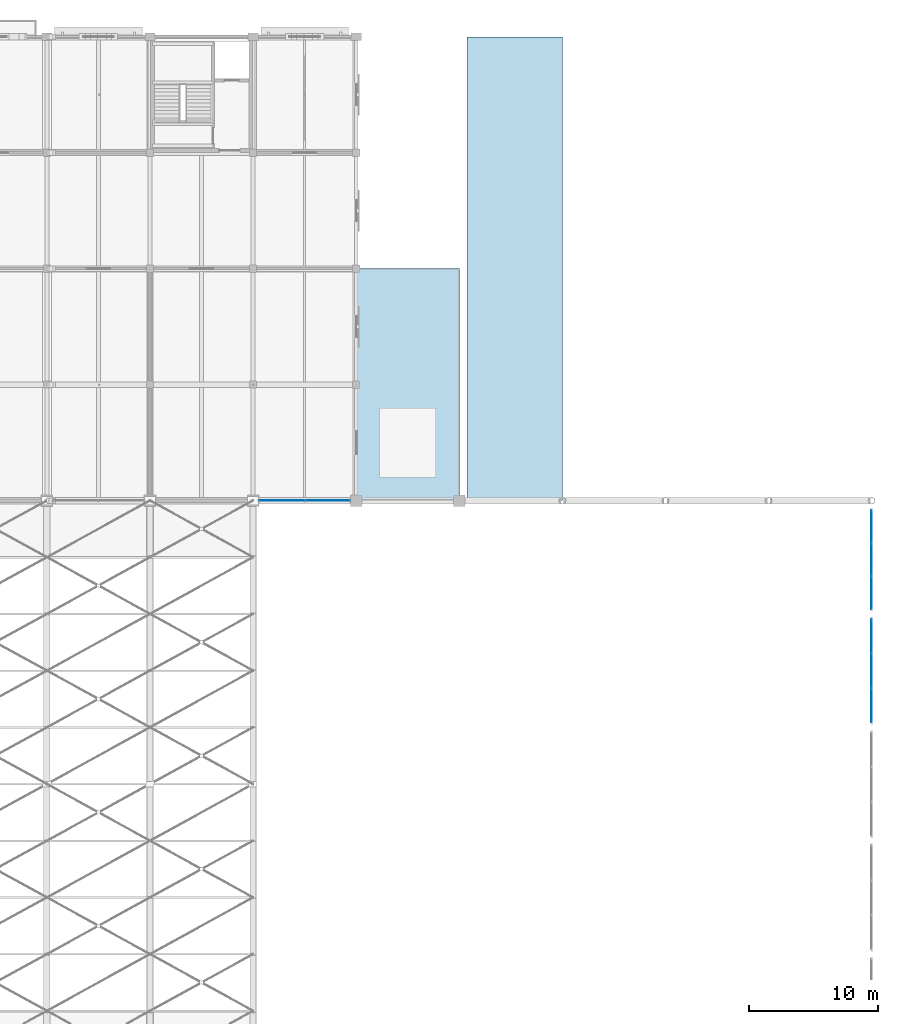
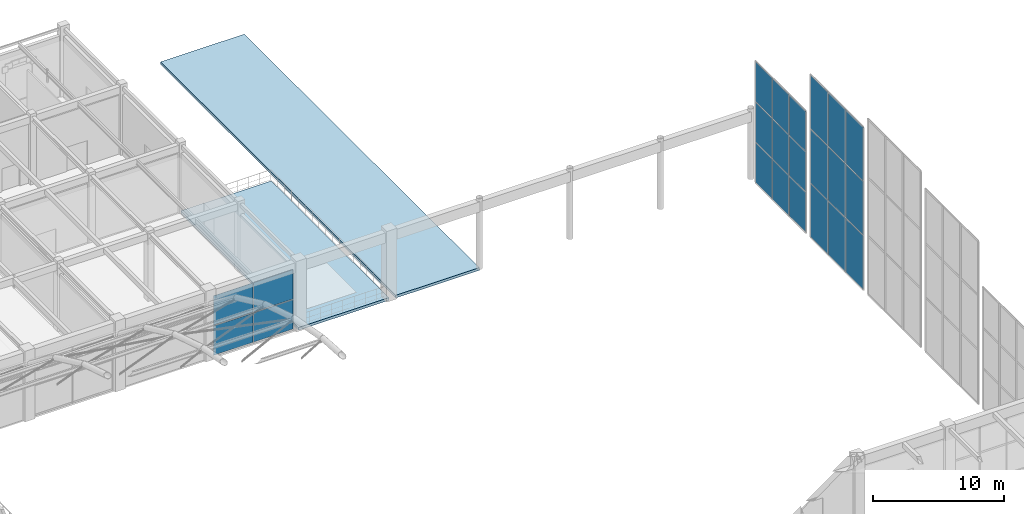
# One storey, part 119 of 163: 22 plates, 2 slabs, 3 elements without a shape of their own.
"""IFC4 building model written with IfcOpenShell, lengths in metres."""

from ifc_helpers import new_model, si_unit, direction, frame, origin, origin_2d, place, context, subcontext, project, spatial, polyline, rectangle, outline, extrude, material, layer, layer_set, type_object, element, aggregate, save


model = new_model("IFC4")

# Units and contexts
model_context = context("Model", 3, precision=1e-05, world=origin(), true_north=direction((0.0, 1.0)))
body_context = subcontext(model_context, "Body", "Model", "MODEL_VIEW")
ifc_project = project(units=[si_unit("LENGTHUNIT", "METRE"), si_unit("AREAUNIT", "SQUARE_METRE"), si_unit("VOLUMEUNIT", "CUBIC_METRE"), si_unit("PLANEANGLEUNIT", "RADIAN"), si_unit("MASSUNIT", "GRAM", prefix="KILO")], contexts=[model_context])

# Site, building, storey
site_placement = place(None, origin())
site = spatial("IfcSite", under=ifc_project, at=site_placement, CompositionType="ELEMENT")
building_placement = place(site_placement, origin())
building = spatial("IfcBuilding", under=site, at=building_placement, Name="Varnabhumi Central Station", CompositionType="ELEMENT")
storey_placement = place(building_placement, frame((0.0, 0.0, 9.60009765625)))
storey = spatial("IfcBuildingStorey", under=building, at=storey_placement, Name="L02", CompositionType="ELEMENT", Elevation=9.60009765625)

# Curtain wall, plates
ifc_material_1 = material(Name="Anodised aluminium 6063-T6", Category="aluminium")
curtain_wall_type_1 = type_object("IfcCurtainWallType", Name="CW-SPINE-SCREEN-L2", PredefinedType="NOTDEFINED", material=ifc_material_1)
curtain_wall_1_placement = place(storey_placement, origin())
curtain_wall_1 = element("IfcCurtainWall", 1, at=curtain_wall_1_placement, inside=storey, type_object=curtain_wall_type_1, Name="Curtain Wall CW-NS214", PredefinedType="NOTDEFINED")
ifc_material_2 = material(Name="Laminated low-E double glazing", Category="glass")
ifc_layer_1 = layer(ifc_material_2, 0.035888671875, Name="Laminated low-E double glazing", Category="glass")
ifc_layer_set_1 = layer_set([ifc_layer_1], Name="Laminated low-E double glazing")
plate_type_1 = type_object("IfcPlateType", Name="CW-PNL-GLZ-5", PredefinedType="CURTAIN_PANEL", material=ifc_layer_set_1)
plate_1_placement = place(storey_placement, frame((138.22509765625, 80.0, 0.0400390625), z_axis=(0.0, 0.0, 1.0), x_axis=(1.0, 0.0, 0.0)))
plate_1 = element("IfcPlate", 2, at=plate_1_placement, type_object=plate_type_1, Name="Glazed Panel CW-NS214-P11", PredefinedType="CURTAIN_PANEL", context=body_context, shape_type="SweptSolid", body=[
    extrude(rectangle(XDim=3.469970703125, YDim=0.035888671875, at=origin_2d()), origin(), (0.0, 0.0, 1.0), 2.739990234375),
])
plate_2_placement = place(storey_placement, frame((138.22509765625, 80.0, 2.85986328125), z_axis=(0.0, 0.0, 1.0), x_axis=(1.0, 0.0, 0.0)))
plate_2 = element("IfcPlate", 3, at=plate_2_placement, type_object=plate_type_1, Name="Glazed Panel CW-NS214-P12", PredefinedType="CURTAIN_PANEL", context=body_context, shape_type="SweptSolid", body=[
    extrude(rectangle(XDim=3.469970703125, YDim=0.035888671875, at=origin_2d()), origin(), (0.0, 0.0, 1.0), 2.739990234375),
])
plate_3_placement = place(storey_placement, frame((141.77490234375, 80.0, 0.0400390625), z_axis=(0.0, 0.0, 1.0), x_axis=(1.0, 0.0, 0.0)))
plate_3 = element("IfcPlate", 4, at=plate_3_placement, type_object=plate_type_1, Name="Glazed Panel CW-NS214-P21", PredefinedType="CURTAIN_PANEL", context=body_context, shape_type="SweptSolid", body=[
    extrude(rectangle(XDim=3.469970703125, YDim=0.035888671875, at=origin_2d()), origin(), (0.0, 0.0, 1.0), 2.739990234375),
])
plate_4_placement = place(storey_placement, frame((141.77490234375, 80.0, 2.85986328125), z_axis=(0.0, 0.0, 1.0), x_axis=(1.0, 0.0, 0.0)))
plate_4 = element("IfcPlate", 5, at=plate_4_placement, type_object=plate_type_1, Name="Glazed Panel CW-NS214-P22", PredefinedType="CURTAIN_PANEL", context=body_context, shape_type="SweptSolid", body=[
    extrude(rectangle(XDim=3.469970703125, YDim=0.035888671875, at=origin_2d()), origin(), (0.0, 0.0, 1.0), 2.739990234375),
])
aggregate(curtain_wall_1, [plate_1, plate_2, plate_3, plate_4])

curtain_wall_type_2 = type_object("IfcCurtainWallType", Name="CW-VAULT-ARCH-V5", PredefinedType="NOTDEFINED", material=ifc_material_1)
curtain_wall_2_placement = place(storey_placement, origin())
curtain_wall_2 = element("IfcCurtainWall", 6, at=curtain_wall_2_placement, inside=storey, type_object=curtain_wall_type_2, Name="Curtain Wall CW-WG4", PredefinedType="NOTDEFINED")
ifc_layer_2 = layer(ifc_material_2, 0.035888671875, Name="Laminated low-E double glazing", Category="glass")
ifc_layer_set_2 = layer_set([ifc_layer_2], Name="Laminated low-E double glazing")
plate_type_2 = type_object("IfcPlateType", Name="CW-PNL-GLZ-9", PredefinedType="CURTAIN_PANEL", material=ifc_layer_set_2)
plate_5_placement = place(storey_placement, frame((184.0, 64.10009765625, 0.0400390625), z_axis=(0.0, 0.0, 1.0), x_axis=(0.0, 1.0, 0.0)))
plate_5 = element("IfcPlate", 7, at=plate_5_placement, type_object=plate_type_2, Name="Glazed Panel CW-WG4-P11", PredefinedType="CURTAIN_PANEL", context=body_context, shape_type="SweptSolid", body=[
    extrude(rectangle(XDim=2.6201171875, YDim=0.035888671875, at=origin_2d()), origin(), (0.0, 0.0, 1.0), 4.987060546875),
])
plate_6_placement = place(storey_placement, frame((184.0, 64.10009765625, 5.10693359375), z_axis=(0.0, 0.0, 1.0), x_axis=(0.0, 1.0, 0.0)))
plate_6 = element("IfcPlate", 8, at=plate_6_placement, type_object=plate_type_2, Name="Glazed Panel CW-WG4-P12", PredefinedType="CURTAIN_PANEL", context=body_context, shape_type="SweptSolid", body=[
    extrude(rectangle(XDim=2.6201171875, YDim=0.035888671875, at=origin_2d()), origin(), (0.0, 0.0, 1.0), 4.987060546875),
])
plate_7_placement = place(storey_placement, frame((184.0, 64.10009765625, 10.173828125), z_axis=(0.0, 0.0, 1.0), x_axis=(0.0, 1.0, 0.0)))
plate_7 = element("IfcPlate", 9, at=plate_7_placement, type_object=plate_type_2, Name="Glazed Panel CW-WG4-P13", PredefinedType="CURTAIN_PANEL", context=body_context, shape_type="SweptSolid", body=[
    extrude(rectangle(XDim=2.6201171875, YDim=0.035888671875, at=origin_2d()), origin(), (0.0, 0.0, 1.0), 4.987060546875),
])
plate_8_placement = place(storey_placement, frame((184.0, 66.800048828125, 0.0400390625), z_axis=(0.0, 0.0, 1.0), x_axis=(0.0, 1.0, 0.0)))
plate_8 = element("IfcPlate", 10, at=plate_8_placement, type_object=plate_type_2, Name="Glazed Panel CW-WG4-P21", PredefinedType="CURTAIN_PANEL", context=body_context, shape_type="SweptSolid", body=[
    extrude(rectangle(XDim=2.6201171875, YDim=0.035888671875, at=origin_2d()), origin(), (0.0, 0.0, 1.0), 4.987060546875),
])
plate_9_placement = place(storey_placement, frame((184.0, 66.800048828125, 5.10693359375), z_axis=(0.0, 0.0, 1.0), x_axis=(0.0, 1.0, 0.0)))
plate_9 = element("IfcPlate", 11, at=plate_9_placement, type_object=plate_type_2, Name="Glazed Panel CW-WG4-P22", PredefinedType="CURTAIN_PANEL", context=body_context, shape_type="SweptSolid", body=[
    extrude(rectangle(XDim=2.6201171875, YDim=0.035888671875, at=origin_2d()), origin(), (0.0, 0.0, 1.0), 4.987060546875),
])
plate_10_placement = place(storey_placement, frame((184.0, 66.800048828125, 10.173828125), z_axis=(0.0, 0.0, 1.0), x_axis=(0.0, 1.0, 0.0)))
plate_10 = element("IfcPlate", 12, at=plate_10_placement, type_object=plate_type_2, Name="Glazed Panel CW-WG4-P23", PredefinedType="CURTAIN_PANEL", context=body_context, shape_type="SweptSolid", body=[
    extrude(rectangle(XDim=2.6201171875, YDim=0.035888671875, at=origin_2d()), origin(), (0.0, 0.0, 1.0), 4.987060546875),
])
plate_11_placement = place(storey_placement, frame((184.0, 69.5, 0.0400390625), z_axis=(0.0, 0.0, 1.0), x_axis=(0.0, 1.0, 0.0)))
plate_11 = element("IfcPlate", 13, at=plate_11_placement, type_object=plate_type_2, Name="Glazed Panel CW-WG4-P31", PredefinedType="CURTAIN_PANEL", context=body_context, shape_type="SweptSolid", body=[
    extrude(rectangle(XDim=2.6201171875, YDim=0.035888671875, at=origin_2d()), origin(), (0.0, 0.0, 1.0), 4.987060546875),
])
plate_12_placement = place(storey_placement, frame((184.0, 69.5, 5.10693359375), z_axis=(0.0, 0.0, 1.0), x_axis=(0.0, 1.0, 0.0)))
plate_12 = element("IfcPlate", 14, at=plate_12_placement, type_object=plate_type_2, Name="Glazed Panel CW-WG4-P32", PredefinedType="CURTAIN_PANEL", context=body_context, shape_type="SweptSolid", body=[
    extrude(rectangle(XDim=2.6201171875, YDim=0.035888671875, at=origin_2d()), origin(), (0.0, 0.0, 1.0), 4.987060546875),
])
plate_13_placement = place(storey_placement, frame((184.0, 69.5, 10.173828125), z_axis=(0.0, 0.0, 1.0), x_axis=(0.0, 1.0, 0.0)))
plate_13 = element("IfcPlate", 15, at=plate_13_placement, type_object=plate_type_2, Name="Glazed Panel CW-WG4-P33", PredefinedType="CURTAIN_PANEL", context=body_context, shape_type="SweptSolid", body=[
    extrude(rectangle(XDim=2.6201171875, YDim=0.035888671875, at=origin_2d()), origin(), (0.0, 0.0, 1.0), 4.987060546875),
])
aggregate(curtain_wall_2, [plate_5, plate_6, plate_7, plate_8, plate_9, plate_10, plate_11, plate_12, plate_13])

curtain_wall_3_placement = place(storey_placement, origin())
curtain_wall_3 = element("IfcCurtainWall", 16, at=curtain_wall_3_placement, inside=storey, type_object=curtain_wall_type_2, Name="Curtain Wall CW-WG5", PredefinedType="NOTDEFINED")
plate_14_placement = place(storey_placement, frame((184.0, 72.83837890625, 0.0400390625), z_axis=(0.0, 0.0, 1.0), x_axis=(0.0, 1.0, 0.0)))
plate_14 = element("IfcPlate", 17, at=plate_14_placement, type_object=plate_type_2, Name="Glazed Panel CW-WG5-P11", PredefinedType="CURTAIN_PANEL", context=body_context, shape_type="SweptSolid", body=[
    extrude(rectangle(XDim=2.49658203125, YDim=0.035888671875, at=origin_2d()), origin(), (0.0, 0.0, 1.0), 3.7021484375),
])
plate_15_placement = place(storey_placement, frame((184.0, 72.83837890625, 3.822021484375), z_axis=(0.0, 0.0, 1.0), x_axis=(0.0, 1.0, 0.0)))
plate_15 = element("IfcPlate", 18, at=plate_15_placement, type_object=plate_type_2, Name="Glazed Panel CW-WG5-P12", PredefinedType="CURTAIN_PANEL", context=body_context, shape_type="SweptSolid", body=[
    extrude(rectangle(XDim=2.49658203125, YDim=0.035888671875, at=origin_2d()), origin(), (0.0, 0.0, 1.0), 3.7021484375),
])
plate_16_placement = place(storey_placement, frame((184.0, 72.83837890625, 7.604248046875), z_axis=(0.0, 0.0, 1.0), x_axis=(0.0, 1.0, 0.0)))
plate_16 = element("IfcPlate", 19, at=plate_16_placement, type_object=plate_type_2, Name="Glazed Panel CW-WG5-P13", PredefinedType="CURTAIN_PANEL", context=body_context, shape_type="SweptSolid", body=[
    extrude(rectangle(XDim=2.49658203125, YDim=0.035888671875, at=origin_2d()), origin(), (0.0, 0.0, 1.0), 3.7021484375),
])
plate_17_placement = place(storey_placement, frame((184.0, 75.4150390625, 0.0400390625), z_axis=(0.0, 0.0, 1.0), x_axis=(0.0, 1.0, 0.0)))
plate_17 = element("IfcPlate", 20, at=plate_17_placement, type_object=plate_type_2, Name="Glazed Panel CW-WG5-P21", PredefinedType="CURTAIN_PANEL", context=body_context, shape_type="SweptSolid", body=[
    extrude(rectangle(XDim=2.49658203125, YDim=0.035888671875, at=origin_2d()), origin(), (0.0, 0.0, 1.0), 3.7021484375),
])
plate_18_placement = place(storey_placement, frame((184.0, 75.4150390625, 3.822021484375), z_axis=(0.0, 0.0, 1.0), x_axis=(0.0, 1.0, 0.0)))
plate_18 = element("IfcPlate", 21, at=plate_18_placement, type_object=plate_type_2, Name="Glazed Panel CW-WG5-P22", PredefinedType="CURTAIN_PANEL", context=body_context, shape_type="SweptSolid", body=[
    extrude(rectangle(XDim=2.49658203125, YDim=0.035888671875, at=origin_2d()), origin(), (0.0, 0.0, 1.0), 3.7021484375),
])
plate_19_placement = place(storey_placement, frame((184.0, 75.4150390625, 7.604248046875), z_axis=(0.0, 0.0, 1.0), x_axis=(0.0, 1.0, 0.0)))
plate_19 = element("IfcPlate", 22, at=plate_19_placement, type_object=plate_type_2, Name="Glazed Panel CW-WG5-P23", PredefinedType="CURTAIN_PANEL", context=body_context, shape_type="SweptSolid", body=[
    extrude(rectangle(XDim=2.49658203125, YDim=0.035888671875, at=origin_2d()), origin(), (0.0, 0.0, 1.0), 3.7021484375),
])
plate_20_placement = place(storey_placement, frame((184.0, 77.99169921875, 0.0400390625), z_axis=(0.0, 0.0, 1.0), x_axis=(0.0, 1.0, 0.0)))
plate_20 = element("IfcPlate", 23, at=plate_20_placement, type_object=plate_type_2, Name="Glazed Panel CW-WG5-P31", PredefinedType="CURTAIN_PANEL", context=body_context, shape_type="SweptSolid", body=[
    extrude(rectangle(XDim=2.49658203125, YDim=0.035888671875, at=origin_2d()), origin(), (0.0, 0.0, 1.0), 3.7021484375),
])
plate_21_placement = place(storey_placement, frame((184.0, 77.99169921875, 3.822021484375), z_axis=(0.0, 0.0, 1.0), x_axis=(0.0, 1.0, 0.0)))
plate_21 = element("IfcPlate", 24, at=plate_21_placement, type_object=plate_type_2, Name="Glazed Panel CW-WG5-P32", PredefinedType="CURTAIN_PANEL", context=body_context, shape_type="SweptSolid", body=[
    extrude(rectangle(XDim=2.49658203125, YDim=0.035888671875, at=origin_2d()), origin(), (0.0, 0.0, 1.0), 3.7021484375),
])
plate_22_placement = place(storey_placement, frame((184.0, 77.99169921875, 7.604248046875), z_axis=(0.0, 0.0, 1.0), x_axis=(0.0, 1.0, 0.0)))
plate_22 = element("IfcPlate", 25, at=plate_22_placement, type_object=plate_type_2, Name="Glazed Panel CW-WG5-P33", PredefinedType="CURTAIN_PANEL", context=body_context, shape_type="SweptSolid", body=[
    extrude(rectangle(XDim=2.49658203125, YDim=0.035888671875, at=origin_2d()), origin(), (0.0, 0.0, 1.0), 3.7021484375),
])
aggregate(curtain_wall_3, [plate_14, plate_15, plate_16, plate_17, plate_18, plate_19, plate_20, plate_21, plate_22])

# Slabs
ifc_material_3 = material(Name="Concrete M40", Category="concrete")
ifc_layer_3 = layer(ifc_material_3, 0.25, Name="Concrete M40", Category="concrete")
ifc_layer_set_3 = layer_set([ifc_layer_3], Name="Concrete M40")
slab_type_1 = type_object("IfcSlabType", Name="SLB-AZOTEA-200", PredefinedType="ROOF", material=ifc_layer_set_3)
slab_1_placement = place(storey_placement, frame((0.0, 0.0, -0.25)))
element("IfcSlab", 26, at=slab_1_placement, inside=storey, type_object=slab_type_1, Name="Azotea Roof Garden Slab L02-2", PredefinedType="ROOF", context=body_context, shape_type="SweptSolid", body=[
    extrude(outline(polyline([(144.0, 80.0), (152.0, 80.0), (152.0, 98.0), (144.0, 98.0), (144.0, 80.0)])), origin(), (0.0, 0.0, 1.0), 0.25),
])
ifc_layer_4 = layer(ifc_material_3, 0.219970703125, Name="Concrete M40", Category="concrete")
ifc_layer_set_4 = layer_set([ifc_layer_4], Name="Concrete M40")
slab_type_2 = type_object("IfcSlabType", Name="SLB-ROOF-220", PredefinedType="ROOF", material=ifc_layer_set_4)
slab_2_placement = place(storey_placement, frame((0.0, 0.0, -0.25)))
element("IfcSlab", 27, at=slab_2_placement, inside=storey, type_object=slab_type_2, Name="Weatherproof Flat Roof Slab l02_ne_maint", PredefinedType="ROOF", context=body_context, shape_type="SweptSolid", body=[
    extrude(outline(polyline([(152.60009765625, 80.0), (160.0, 80.0), (160.0, 116.0), (152.60009765625, 116.0), (152.60009765625, 80.0)])), origin(), (0.0, 0.0, 1.0), 0.25),
])

save(model, "model.ifc")
